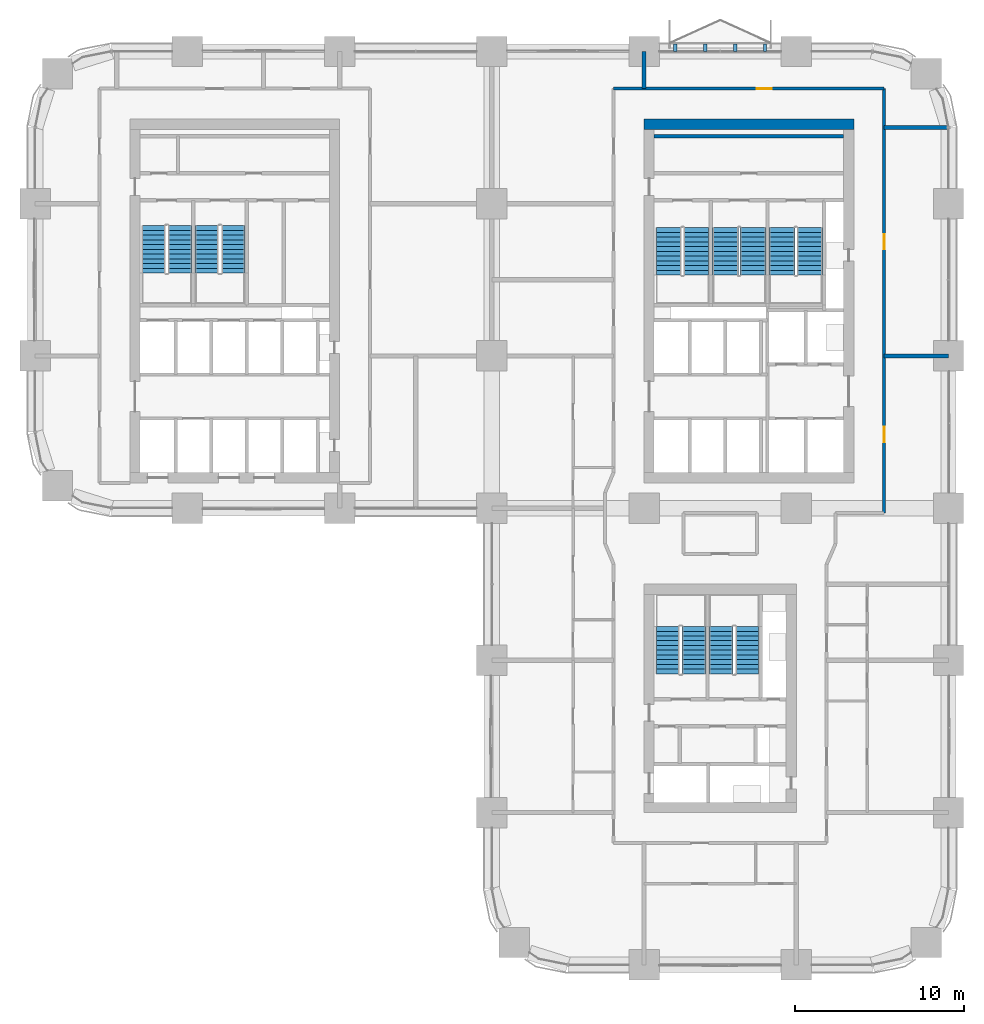
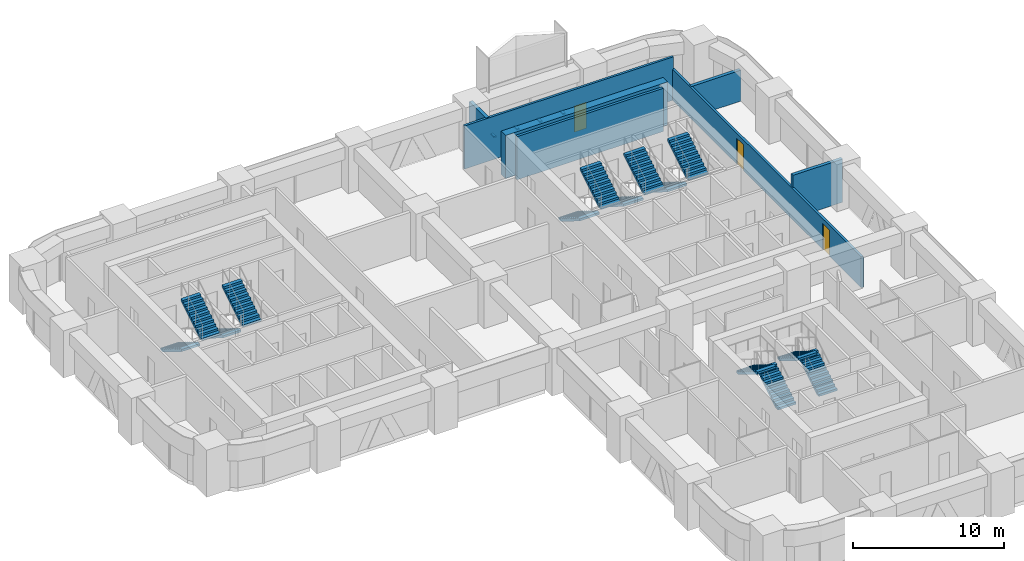
# One storey, part 16 of 26: 14 stair flights, 7 walls, 4 discrete accessories, 3 doors, 3 openings, 7 elements without a shape of their own.
"""IFC4 building model written with IfcOpenShell, lengths in metres."""

from ifc_helpers import new_model, si_unit, direction, frame, frame_2d, origin, origin_2d, place, context, subcontext, project, spatial, polyline, rectangle, outline, extrude, material, layer, layer_set, type_object, element, fill, aggregate, save


model = new_model("IFC4")

# Units and contexts
model_context = context("Model", 3, precision=1e-05, world=origin(), true_north=direction((0.0, 1.0)))
body_context = subcontext(model_context, "Body", "Model", "MODEL_VIEW")
ifc_project = project(units=[si_unit("LENGTHUNIT", "METRE"), si_unit("AREAUNIT", "SQUARE_METRE"), si_unit("VOLUMEUNIT", "CUBIC_METRE"), si_unit("PLANEANGLEUNIT", "RADIAN"), si_unit("MASSUNIT", "GRAM", prefix="KILO")], contexts=[model_context])

# Site, building, storey
site_placement = place(None, origin())
site = spatial("IfcSite", under=ifc_project, at=site_placement, CompositionType="ELEMENT")
building_placement = place(site_placement, origin())
building = spatial("IfcBuilding", under=site, at=building_placement, Name="Tessera Arch", CompositionType="ELEMENT")
storey_placement = place(building_placement, frame((0.0, 0.0, 96.800048828125)))
storey = spatial("IfcBuildingStorey", under=building, at=storey_placement, Name="L22", CompositionType="ELEMENT", Elevation=96.800048828125)

# Walls
ifc_material_1 = material(Name="Gypsum board on steel stud", Category="steel")
ifc_layer_1 = layer(ifc_material_1, 0.125)
ifc_layer_set_1 = layer_set([ifc_layer_1], Name="Core partition 125 EI 60")
wall_type_1 = type_object("IfcWallType", Name="Core partition 125 EI 60", PredefinedType="PARTITIONING", material=ifc_layer_set_1)
wall_1_placement = place(storey_placement, frame((36.60009765625, 49.0, 0.0), z_axis=(0.0, 0.0, 1.0), x_axis=(1.0, 0.0, 0.0)))
element("IfcWall", 1, at=wall_1_placement, inside=storey, type_object=wall_type_1, Name="L22 C1 partition wall 31", PredefinedType="PARTITIONING", context=body_context, shape_type="SweptSolid", body=[
    extrude(rectangle(XDim=11.199951171875, YDim=0.199951171875, at=frame_2d((5.60009765625, 0.0))), origin(), (0.0, 0.0, 1.0), 3.5),
])
ifc_material_2 = material(Name="Concrete C70/85", Category="concrete")
ifc_layer_2 = layer(ifc_material_2, 0.60009765625)
ifc_layer_set_2 = layer_set([ifc_layer_2], Name="Core shell wall 600 C70-85")
wall_type_2 = type_object("IfcWallType", Name="Core shell wall 600 C70-85", PredefinedType="SHEAR", material=ifc_layer_set_2)
wall_2_placement = place(storey_placement, frame((36.0, 49.699951171875, 0.0), z_axis=(0.0, 0.0, 1.0), x_axis=(1.0, 0.0, 0.0)))
element("IfcWall", 2, at=wall_2_placement, inside=storey, type_object=wall_type_2, Name="L22 C1 core wall N", PredefinedType="SHEAR", context=body_context, shape_type="SweptSolid", body=[
    extrude(rectangle(XDim=12.39990234375, YDim=0.60009765625, at=frame_2d((6.199951171875, 0.0))), origin(), (0.0, 0.0, 1.0), 3.5),
])

# Wall, opening, door
ifc_material_3 = material(Name="Gypsum board on deep steel stud with mineral wool", Category="steel")
ifc_layer_3 = layer(ifc_material_3, 0.175048828125)
ifc_layer_set_3 = layer_set([ifc_layer_3], Name="Corridor wall 175 EI 60")
wall_type_3 = type_object("IfcWallType", Name="Corridor wall 175 EI 60", PredefinedType="PARTITIONING", material=ifc_layer_set_3)
wall_3_placement = place(storey_placement, frame((34.199951171875, 51.800048828125, 0.0), z_axis=(0.0, 0.0, 1.0), x_axis=(1.0, 0.0, 0.0)))
wall_3 = element("IfcWall", 3, at=wall_3_placement, inside=storey, type_object=wall_type_3, Name="L22 partition 8", PredefinedType="PARTITIONING", context=body_context, shape_type="SweptSolid", body=[
    extrude(rectangle(XDim=16.0, YDim=0.175048828125, at=frame_2d((8.0, 0.0))), origin(), (0.0, 0.0, 1.0), 3.5),
])
opening_1_placement = place(wall_3_placement, frame((8.449951171875, 0.0, 0.0)))
opening_1 = element("IfcOpeningElement", 4, at=opening_1_placement, cuts=wall_3, Name="Opening L22-D033", PredefinedType="OPENING", context=body_context, shape_type="SweptSolid", body=[
    extrude(rectangle(XDim=0.89990234375, YDim=2.10009765625, at=frame_2d((0.449951171875, 1.050048828125))), frame((0.0, 0.097412109375, 0.0), z_axis=(0.0, -1.0, 0.0), x_axis=(1.0, 0.0, 0.0)), (0.0, 0.0, 1.0), 0.195068359375),
])
ifc_material_4 = material(Name="Timber door leaf", Category="wood")
door_type = type_object("IfcDoorType", Name="Room door 900 x 2100", OperationType="SINGLE_SWING_LEFT", PredefinedType="DOOR", material=ifc_material_4)
door_1_placement = place(opening_1_placement, origin())
door_1 = element("IfcDoor", 5, at=door_1_placement, inside=storey, type_object=door_type, Name="L22 door D033 type D01", OperationType="SINGLE_SWING_LEFT", OverallHeight=2.10009765625, OverallWidth=0.89990234375, PredefinedType="DOOR", context=body_context, shape_type="SweptSolid", body=[
    extrude(rectangle(XDim=0.89990234375, YDim=2.10009765625, at=frame_2d((0.449951171875, 1.050048828125))), frame((0.0, 0.02490234375, 0.0), z_axis=(0.0, -1.0, 0.0), x_axis=(1.0, 0.0, 0.0)), (0.0, 0.0, 1.0), 0.050048828125),
])
fill(opening_1, door_1)

# Wall, openings, doors
wall_4_placement = place(storey_placement, frame((50.199951171875, 26.699951171875, 0.0), z_axis=(0.0, 0.0, 1.0), x_axis=(0.0, 1.0, 0.0)))
wall_4 = element("IfcWall", 6, at=wall_4_placement, inside=storey, type_object=wall_type_3, Name="L22 partition 18", PredefinedType="PARTITIONING", context=body_context, shape_type="SweptSolid", body=[
    extrude(rectangle(XDim=25.10009765625, YDim=0.175048828125, at=frame_2d((12.550048828125, 0.0))), origin(), (0.0, 0.0, 1.0), 2.5),
])
opening_2_placement = place(wall_4_placement, frame((4.199951171875, 0.0, 0.0)))
opening_2 = element("IfcOpeningElement", 7, at=opening_2_placement, cuts=wall_4, Name="Opening L22-D019", PredefinedType="OPENING", context=body_context, shape_type="SweptSolid", body=[
    extrude(rectangle(XDim=0.89990234375, YDim=2.10009765625, at=frame_2d((0.449951171875, 1.050048828125))), frame((0.0, 0.097412109375, 0.0), z_axis=(0.0, -1.0, 0.0), x_axis=(1.0, 0.0, 0.0)), (0.0, 0.0, 1.0), 0.195068359375),
])
opening_3_placement = place(wall_4_placement, frame((15.60009765625, 0.0, 0.0)))
opening_3 = element("IfcOpeningElement", 8, at=opening_3_placement, cuts=wall_4, Name="Opening L22-D029", PredefinedType="OPENING", context=body_context, shape_type="SweptSolid", body=[
    extrude(rectangle(XDim=0.89990234375, YDim=2.10009765625, at=frame_2d((0.449951171875, 1.050048828125))), frame((0.0, 0.097412109375, 0.0), z_axis=(0.0, -1.0, 0.0), x_axis=(1.0, 0.0, 0.0)), (0.0, 0.0, 1.0), 0.195068359375),
])
door_2_placement = place(opening_2_placement, origin())
door_2 = element("IfcDoor", 9, at=door_2_placement, inside=storey, type_object=door_type, Name="L22 door D019 type D01", OperationType="SINGLE_SWING_RIGHT", OverallHeight=2.10009765625, OverallWidth=0.89990234375, PredefinedType="DOOR", context=body_context, shape_type="SweptSolid", body=[
    extrude(rectangle(XDim=0.89990234375, YDim=2.10009765625, at=frame_2d((0.449951171875, 1.050048828125))), frame((0.0, 0.02490234375, 0.0), z_axis=(0.0, -1.0, 0.0), x_axis=(1.0, 0.0, 0.0)), (0.0, 0.0, 1.0), 0.050048828125),
])
fill(opening_2, door_2)
door_3_placement = place(opening_3_placement, origin())
door_3 = element("IfcDoor", 10, at=door_3_placement, inside=storey, type_object=door_type, Name="L22 door D029 type D01", OperationType="SINGLE_SWING_RIGHT", OverallHeight=2.10009765625, OverallWidth=0.89990234375, PredefinedType="DOOR", context=body_context, shape_type="SweptSolid", body=[
    extrude(rectangle(XDim=0.89990234375, YDim=2.10009765625, at=frame_2d((0.449951171875, 1.050048828125))), frame((0.0, 0.02490234375, 0.0), z_axis=(0.0, -1.0, 0.0), x_axis=(1.0, 0.0, 0.0)), (0.0, 0.0, 1.0), 0.050048828125),
])
fill(opening_3, door_3)

# Walls
ifc_material_5 = material(Name="Double gypsum board on twin steel stud with acoustic mineral wool", Category="steel")
ifc_layer_4 = layer(ifc_material_5, 0.25)
ifc_layer_set_4 = layer_set([ifc_layer_4], Name="Party wall 250 EI 60")
wall_type_4 = type_object("IfcWallType", Name="Party wall 250 EI 60", PredefinedType="PARTITIONING", material=ifc_layer_set_4)
wall_5_placement = place(storey_placement, frame((50.199951171875, 36.0, 0.0), z_axis=(0.0, 0.0, 1.0), x_axis=(1.0, 0.0, 0.0)))
element("IfcWall", 11, at=wall_5_placement, inside=storey, type_object=wall_type_4, Name="L22 partition 33", PredefinedType="PARTITIONING", context=body_context, shape_type="SweptSolid", body=[
    extrude(rectangle(XDim=3.800048828125, YDim=0.25, at=frame_2d((1.89990234375, 0.0))), origin(), (0.0, 0.0, 1.0), 3.5),
])
wall_6_placement = place(storey_placement, frame((50.199951171875, 49.5, 0.0), z_axis=(0.0, 0.0, 1.0), x_axis=(1.0, 0.0, 0.0)))
element("IfcWall", 12, at=wall_6_placement, inside=storey, type_object=wall_type_4, Name="L22 partition 37", PredefinedType="PARTITIONING", context=body_context, shape_type="SweptSolid", body=[
    extrude(rectangle(XDim=3.800048828125, YDim=0.25, at=frame_2d((1.89990234375, 0.0))), origin(), (0.0, 0.0, 1.0), 2.5),
])
wall_7_placement = place(storey_placement, frame((36.0, 51.800048828125, 0.0), z_axis=(0.0, 0.0, 1.0), x_axis=(0.0, 1.0, 0.0)))
element("IfcWall", 13, at=wall_7_placement, inside=storey, type_object=wall_type_4, Name="L22 partition 45", PredefinedType="PARTITIONING", context=body_context, shape_type="SweptSolid", body=[
    extrude(rectangle(XDim=2.199951171875, YDim=0.25, at=frame_2d((1.10009765625, 0.0))), origin(), (0.0, 0.0, 1.0), 3.5),
])

# Stair, stair flights
ifc_material_6 = material(Name="Concrete C40/50", Category="concrete")
stair_type_1 = type_object("IfcStairType", Name="Dogleg stair 1400", PredefinedType="HALF_TURN_STAIR", material=ifc_material_6)
stair_1_placement = place(storey_placement, origin())
stair_1 = element("IfcStair", 14, at=stair_1_placement, inside=storey, type_object=stair_type_1, Name="L22 S2a", PredefinedType="HALF_TURN_STAIR")
ifc_material_7 = material(Name="Concrete C40/50", Category="concrete")
stair_flight_type_1 = type_object("IfcStairFlightType", Name="Stair flight 1400", PredefinedType="STRAIGHT", material=ifc_material_7)
stair_flight_1_placement = place(storey_placement, frame((7.0, 43.699951171875, 0.0), z_axis=(0.0, 0.0, 1.0), x_axis=(0.0, -1.0, 0.0)))
stair_flight_1 = element("IfcStairFlight", 15, at=stair_flight_1_placement, type_object=stair_flight_type_1, Name="S2a flight 1", NumberOfRisers=11, NumberOfTreads=10, PredefinedType="STRAIGHT", RiserHeight=0.172727273, TreadLength=0.28, context=body_context, shape_type="SweptSolid", body=[
    extrude(outline(polyline([(0.0, 0.0), (0.0, 0.172607421875), (0.280029296875, 0.172607421875), (0.280029296875, 0.345458984375), (0.56005859375, 0.345458984375), (0.56005859375, 0.51806640625), (0.840087890625, 0.51806640625), (0.840087890625, 0.69091796875), (1.1201171875, 0.69091796875), (1.1201171875, 0.863525390625), (1.39990234375, 0.863525390625), (1.39990234375, 1.036376953125), (1.679931640625, 1.036376953125), (1.679931640625, 1.208984375), (1.9599609375, 1.208984375), (1.9599609375, 1.3818359375), (2.239990234375, 1.3818359375), (2.239990234375, 1.554443359375), (2.52001953125, 1.554443359375), (2.52001953125, 1.727294921875), (2.800048828125, 1.727294921875), (2.800048828125, 1.89990234375), (2.800048828125, 1.551025390625), (0.285400390625, 0.0), (0.0, 0.0)])), frame((0.0, 0.699951171875, 0.0), z_axis=(0.0, -1.0, 0.0), x_axis=(1.0, 0.0, 0.0)), (0.0, 0.0, 1.0), 1.39990234375),
])
stair_flight_2_placement = place(storey_placement, frame((8.550048828125, 40.89990234375, 1.89990234375), z_axis=(0.0, 0.0, 1.0), x_axis=(0.0, 1.0, 0.0)))
stair_flight_2 = element("IfcStairFlight", 16, at=stair_flight_2_placement, type_object=stair_flight_type_1, Name="S2a flight 2", NumberOfRisers=11, NumberOfTreads=10, PredefinedType="STRAIGHT", RiserHeight=0.172727273, TreadLength=0.28, context=body_context, shape_type="SweptSolid", body=[
    extrude(outline(polyline([(0.0, 0.0), (0.0, 0.172607421875), (0.280029296875, 0.172607421875), (0.280029296875, 0.345458984375), (0.56005859375, 0.345458984375), (0.56005859375, 0.51806640625), (0.840087890625, 0.51806640625), (0.840087890625, 0.69091796875), (1.1201171875, 0.69091796875), (1.1201171875, 0.863525390625), (1.39990234375, 0.863525390625), (1.39990234375, 1.036376953125), (1.679931640625, 1.036376953125), (1.679931640625, 1.208984375), (1.9599609375, 1.208984375), (1.9599609375, 1.3818359375), (2.239990234375, 1.3818359375), (2.239990234375, 1.554443359375), (2.52001953125, 1.554443359375), (2.52001953125, 1.727294921875), (2.800048828125, 1.727294921875), (2.800048828125, 1.89990234375), (2.800048828125, 1.551025390625), (0.285400390625, 0.0), (0.0, 0.0)])), frame((0.0, 0.699951171875, 0.0), z_axis=(0.0, -1.0, 0.0), x_axis=(1.0, 0.0, 0.0)), (0.0, 0.0, 1.0), 1.39990234375),
])
aggregate(stair_1, [stair_flight_1, stair_flight_2])

stair_2_placement = place(storey_placement, origin())
stair_2 = element("IfcStair", 17, at=stair_2_placement, inside=storey, type_object=stair_type_1, Name="L22 S2b", PredefinedType="HALF_TURN_STAIR")
stair_flight_3_placement = place(storey_placement, frame((10.14990234375, 43.699951171875, 0.0), z_axis=(0.0, 0.0, 1.0), x_axis=(0.0, -1.0, 0.0)))
stair_flight_3 = element("IfcStairFlight", 18, at=stair_flight_3_placement, type_object=stair_flight_type_1, Name="S2b flight 1", NumberOfRisers=11, NumberOfTreads=10, PredefinedType="STRAIGHT", RiserHeight=0.172727273, TreadLength=0.28, context=body_context, shape_type="SweptSolid", body=[
    extrude(outline(polyline([(0.0, 0.0), (0.0, 0.172607421875), (0.280029296875, 0.172607421875), (0.280029296875, 0.345458984375), (0.56005859375, 0.345458984375), (0.56005859375, 0.51806640625), (0.840087890625, 0.51806640625), (0.840087890625, 0.69091796875), (1.1201171875, 0.69091796875), (1.1201171875, 0.863525390625), (1.39990234375, 0.863525390625), (1.39990234375, 1.036376953125), (1.679931640625, 1.036376953125), (1.679931640625, 1.208984375), (1.9599609375, 1.208984375), (1.9599609375, 1.3818359375), (2.239990234375, 1.3818359375), (2.239990234375, 1.554443359375), (2.52001953125, 1.554443359375), (2.52001953125, 1.727294921875), (2.800048828125, 1.727294921875), (2.800048828125, 1.89990234375), (2.800048828125, 1.551025390625), (0.285400390625, 0.0), (0.0, 0.0)])), frame((0.0, 0.699951171875, 0.0), z_axis=(0.0, -1.0, 0.0), x_axis=(1.0, 0.0, 0.0)), (0.0, 0.0, 1.0), 1.39990234375),
])
stair_flight_4_placement = place(storey_placement, frame((11.699951171875, 40.89990234375, 1.89990234375), z_axis=(0.0, 0.0, 1.0), x_axis=(0.0, 1.0, 0.0)))
stair_flight_4 = element("IfcStairFlight", 19, at=stair_flight_4_placement, type_object=stair_flight_type_1, Name="S2b flight 2", NumberOfRisers=11, NumberOfTreads=10, PredefinedType="STRAIGHT", RiserHeight=0.172727273, TreadLength=0.28, context=body_context, shape_type="SweptSolid", body=[
    extrude(outline(polyline([(0.0, 0.0), (0.0, 0.172607421875), (0.280029296875, 0.172607421875), (0.280029296875, 0.345458984375), (0.56005859375, 0.345458984375), (0.56005859375, 0.51806640625), (0.840087890625, 0.51806640625), (0.840087890625, 0.69091796875), (1.1201171875, 0.69091796875), (1.1201171875, 0.863525390625), (1.39990234375, 0.863525390625), (1.39990234375, 1.036376953125), (1.679931640625, 1.036376953125), (1.679931640625, 1.208984375), (1.9599609375, 1.208984375), (1.9599609375, 1.3818359375), (2.239990234375, 1.3818359375), (2.239990234375, 1.554443359375), (2.52001953125, 1.554443359375), (2.52001953125, 1.727294921875), (2.800048828125, 1.727294921875), (2.800048828125, 1.89990234375), (2.800048828125, 1.551025390625), (0.285400390625, 0.0), (0.0, 0.0)])), frame((0.0, 0.699951171875, 0.0), z_axis=(0.0, -1.0, 0.0), x_axis=(1.0, 0.0, 0.0)), (0.0, 0.0, 1.0), 1.39990234375),
])
aggregate(stair_2, [stair_flight_3, stair_flight_4])

stair_3_placement = place(storey_placement, origin())
stair_3 = element("IfcStair", 20, at=stair_3_placement, inside=storey, type_object=stair_type_1, Name="L22 S3a", PredefinedType="HALF_TURN_STAIR")
stair_flight_5_placement = place(storey_placement, frame((38.949951171875, 17.199951171875, 0.0), z_axis=(0.0, 0.0, 1.0), x_axis=(0.0, 1.0, 0.0)))
stair_flight_5 = element("IfcStairFlight", 21, at=stair_flight_5_placement, type_object=stair_flight_type_1, Name="S3a flight 1", NumberOfRisers=11, NumberOfTreads=10, PredefinedType="STRAIGHT", RiserHeight=0.172727273, TreadLength=0.28, context=body_context, shape_type="SweptSolid", body=[
    extrude(outline(polyline([(0.0, 0.0), (0.0, 0.172607421875), (0.280029296875, 0.172607421875), (0.280029296875, 0.345458984375), (0.56005859375, 0.345458984375), (0.56005859375, 0.51806640625), (0.840087890625, 0.51806640625), (0.840087890625, 0.69091796875), (1.1201171875, 0.69091796875), (1.1201171875, 0.863525390625), (1.39990234375, 0.863525390625), (1.39990234375, 1.036376953125), (1.679931640625, 1.036376953125), (1.679931640625, 1.208984375), (1.9599609375, 1.208984375), (1.9599609375, 1.3818359375), (2.239990234375, 1.3818359375), (2.239990234375, 1.554443359375), (2.52001953125, 1.554443359375), (2.52001953125, 1.727294921875), (2.800048828125, 1.727294921875), (2.800048828125, 1.89990234375), (2.800048828125, 1.551025390625), (0.285400390625, 0.0), (0.0, 0.0)])), frame((0.0, 0.699951171875, 0.0), z_axis=(0.0, -1.0, 0.0), x_axis=(1.0, 0.0, 0.0)), (0.0, 0.0, 1.0), 1.39990234375),
])
stair_flight_6_placement = place(storey_placement, frame((37.39990234375, 20.0, 1.89990234375), z_axis=(0.0, 0.0, 1.0), x_axis=(0.0, -1.0, 0.0)))
stair_flight_6 = element("IfcStairFlight", 22, at=stair_flight_6_placement, type_object=stair_flight_type_1, Name="S3a flight 2", NumberOfRisers=11, NumberOfTreads=10, PredefinedType="STRAIGHT", RiserHeight=0.172727273, TreadLength=0.28, context=body_context, shape_type="SweptSolid", body=[
    extrude(outline(polyline([(0.0, 0.0), (0.0, 0.172607421875), (0.280029296875, 0.172607421875), (0.280029296875, 0.345458984375), (0.56005859375, 0.345458984375), (0.56005859375, 0.51806640625), (0.840087890625, 0.51806640625), (0.840087890625, 0.69091796875), (1.1201171875, 0.69091796875), (1.1201171875, 0.863525390625), (1.39990234375, 0.863525390625), (1.39990234375, 1.036376953125), (1.679931640625, 1.036376953125), (1.679931640625, 1.208984375), (1.9599609375, 1.208984375), (1.9599609375, 1.3818359375), (2.239990234375, 1.3818359375), (2.239990234375, 1.554443359375), (2.52001953125, 1.554443359375), (2.52001953125, 1.727294921875), (2.800048828125, 1.727294921875), (2.800048828125, 1.89990234375), (2.800048828125, 1.551025390625), (0.285400390625, 0.0), (0.0, 0.0)])), frame((0.0, 0.699951171875, 0.0), z_axis=(0.0, -1.0, 0.0), x_axis=(1.0, 0.0, 0.0)), (0.0, 0.0, 1.0), 1.39990234375),
])
aggregate(stair_3, [stair_flight_5, stair_flight_6])

stair_4_placement = place(storey_placement, origin())
stair_4 = element("IfcStair", 23, at=stair_4_placement, inside=storey, type_object=stair_type_1, Name="L22 S3b", PredefinedType="HALF_TURN_STAIR")
stair_flight_7_placement = place(storey_placement, frame((42.10009765625, 17.199951171875, 0.0), z_axis=(0.0, 0.0, 1.0), x_axis=(0.0, 1.0, 0.0)))
stair_flight_7 = element("IfcStairFlight", 24, at=stair_flight_7_placement, type_object=stair_flight_type_1, Name="S3b flight 1", NumberOfRisers=11, NumberOfTreads=10, PredefinedType="STRAIGHT", RiserHeight=0.172727273, TreadLength=0.28, context=body_context, shape_type="SweptSolid", body=[
    extrude(outline(polyline([(0.0, 0.0), (0.0, 0.172607421875), (0.280029296875, 0.172607421875), (0.280029296875, 0.345458984375), (0.56005859375, 0.345458984375), (0.56005859375, 0.51806640625), (0.840087890625, 0.51806640625), (0.840087890625, 0.69091796875), (1.1201171875, 0.69091796875), (1.1201171875, 0.863525390625), (1.39990234375, 0.863525390625), (1.39990234375, 1.036376953125), (1.679931640625, 1.036376953125), (1.679931640625, 1.208984375), (1.9599609375, 1.208984375), (1.9599609375, 1.3818359375), (2.239990234375, 1.3818359375), (2.239990234375, 1.554443359375), (2.52001953125, 1.554443359375), (2.52001953125, 1.727294921875), (2.800048828125, 1.727294921875), (2.800048828125, 1.89990234375), (2.800048828125, 1.551025390625), (0.285400390625, 0.0), (0.0, 0.0)])), frame((0.0, 0.699951171875, 0.0), z_axis=(0.0, -1.0, 0.0), x_axis=(1.0, 0.0, 0.0)), (0.0, 0.0, 1.0), 1.39990234375),
])
stair_flight_8_placement = place(storey_placement, frame((40.550048828125, 20.0, 1.89990234375), z_axis=(0.0, 0.0, 1.0), x_axis=(0.0, -1.0, 0.0)))
stair_flight_8 = element("IfcStairFlight", 25, at=stair_flight_8_placement, type_object=stair_flight_type_1, Name="S3b flight 2", NumberOfRisers=11, NumberOfTreads=10, PredefinedType="STRAIGHT", RiserHeight=0.172727273, TreadLength=0.28, context=body_context, shape_type="SweptSolid", body=[
    extrude(outline(polyline([(0.0, 0.0), (0.0, 0.172607421875), (0.280029296875, 0.172607421875), (0.280029296875, 0.345458984375), (0.56005859375, 0.345458984375), (0.56005859375, 0.51806640625), (0.840087890625, 0.51806640625), (0.840087890625, 0.69091796875), (1.1201171875, 0.69091796875), (1.1201171875, 0.863525390625), (1.39990234375, 0.863525390625), (1.39990234375, 1.036376953125), (1.679931640625, 1.036376953125), (1.679931640625, 1.208984375), (1.9599609375, 1.208984375), (1.9599609375, 1.3818359375), (2.239990234375, 1.3818359375), (2.239990234375, 1.554443359375), (2.52001953125, 1.554443359375), (2.52001953125, 1.727294921875), (2.800048828125, 1.727294921875), (2.800048828125, 1.89990234375), (2.800048828125, 1.551025390625), (0.285400390625, 0.0), (0.0, 0.0)])), frame((0.0, 0.699951171875, 0.0), z_axis=(0.0, -1.0, 0.0), x_axis=(1.0, 0.0, 0.0)), (0.0, 0.0, 1.0), 1.39990234375),
])
aggregate(stair_4, [stair_flight_7, stair_flight_8])

ifc_material_8 = material(Name="Concrete C40/50", Category="concrete")
stair_type_2 = type_object("IfcStairType", Name="Dogleg stair 1520", PredefinedType="HALF_TURN_STAIR", material=ifc_material_8)
stair_5_placement = place(storey_placement, origin())
stair_5 = element("IfcStair", 26, at=stair_5_placement, inside=storey, type_object=stair_type_2, Name="L22 S1a", PredefinedType="HALF_TURN_STAIR")
ifc_material_9 = material(Name="Concrete C40/50", Category="concrete")
stair_flight_type_2 = type_object("IfcStairFlightType", Name="Stair flight 1520", PredefinedType="STRAIGHT", material=ifc_material_9)
stair_flight_9_placement = place(storey_placement, frame((37.4599609375, 43.580078125, 0.0), z_axis=(0.0, 0.0, 1.0), x_axis=(0.0, -1.0, 0.0)))
stair_flight_9 = element("IfcStairFlight", 27, at=stair_flight_9_placement, type_object=stair_flight_type_2, Name="S1a flight 1", NumberOfRisers=11, NumberOfTreads=10, PredefinedType="STRAIGHT", RiserHeight=0.172727273, TreadLength=0.28, context=body_context, shape_type="SweptSolid", body=[
    extrude(outline(polyline([(0.0, 0.0), (0.0, 0.172607421875), (0.280029296875, 0.172607421875), (0.280029296875, 0.345458984375), (0.56005859375, 0.345458984375), (0.56005859375, 0.51806640625), (0.840087890625, 0.51806640625), (0.840087890625, 0.69091796875), (1.1201171875, 0.69091796875), (1.1201171875, 0.863525390625), (1.39990234375, 0.863525390625), (1.39990234375, 1.036376953125), (1.679931640625, 1.036376953125), (1.679931640625, 1.208984375), (1.9599609375, 1.208984375), (1.9599609375, 1.3818359375), (2.239990234375, 1.3818359375), (2.239990234375, 1.554443359375), (2.52001953125, 1.554443359375), (2.52001953125, 1.727294921875), (2.800048828125, 1.727294921875), (2.800048828125, 1.89990234375), (2.800048828125, 1.551025390625), (0.285400390625, 0.0), (0.0, 0.0)])), frame((0.0, 0.760009765625, 0.0), z_axis=(0.0, -1.0, 0.0), x_axis=(1.0, 0.0, 0.0)), (0.0, 0.0, 1.0), 1.52001953125),
])
stair_flight_10_placement = place(storey_placement, frame((39.090087890625, 40.780029296875, 1.89990234375), z_axis=(0.0, 0.0, 1.0), x_axis=(0.0, 1.0, 0.0)))
stair_flight_10 = element("IfcStairFlight", 28, at=stair_flight_10_placement, type_object=stair_flight_type_2, Name="S1a flight 2", NumberOfRisers=11, NumberOfTreads=10, PredefinedType="STRAIGHT", RiserHeight=0.172727273, TreadLength=0.28, context=body_context, shape_type="SweptSolid", body=[
    extrude(outline(polyline([(0.0, 0.0), (0.0, 0.172607421875), (0.280029296875, 0.172607421875), (0.280029296875, 0.345458984375), (0.56005859375, 0.345458984375), (0.56005859375, 0.51806640625), (0.840087890625, 0.51806640625), (0.840087890625, 0.69091796875), (1.1201171875, 0.69091796875), (1.1201171875, 0.863525390625), (1.39990234375, 0.863525390625), (1.39990234375, 1.036376953125), (1.679931640625, 1.036376953125), (1.679931640625, 1.208984375), (1.9599609375, 1.208984375), (1.9599609375, 1.3818359375), (2.239990234375, 1.3818359375), (2.239990234375, 1.554443359375), (2.52001953125, 1.554443359375), (2.52001953125, 1.727294921875), (2.800048828125, 1.727294921875), (2.800048828125, 1.89990234375), (2.800048828125, 1.551025390625), (0.285400390625, 0.0), (0.0, 0.0)])), frame((0.0, 0.760009765625, 0.0), z_axis=(0.0, -1.0, 0.0), x_axis=(1.0, 0.0, 0.0)), (0.0, 0.0, 1.0), 1.52001953125),
])
aggregate(stair_5, [stair_flight_9, stair_flight_10])

stair_6_placement = place(storey_placement, origin())
stair_6 = element("IfcStair", 29, at=stair_6_placement, inside=storey, type_object=stair_type_2, Name="L22 S1b", PredefinedType="HALF_TURN_STAIR")
stair_flight_11_placement = place(storey_placement, frame((40.81005859375, 43.580078125, 0.0), z_axis=(0.0, 0.0, 1.0), x_axis=(0.0, -1.0, 0.0)))
stair_flight_11 = element("IfcStairFlight", 30, at=stair_flight_11_placement, type_object=stair_flight_type_2, Name="S1b flight 1", NumberOfRisers=11, NumberOfTreads=10, PredefinedType="STRAIGHT", RiserHeight=0.172727273, TreadLength=0.28, context=body_context, shape_type="SweptSolid", body=[
    extrude(outline(polyline([(0.0, 0.0), (0.0, 0.172607421875), (0.280029296875, 0.172607421875), (0.280029296875, 0.345458984375), (0.56005859375, 0.345458984375), (0.56005859375, 0.51806640625), (0.840087890625, 0.51806640625), (0.840087890625, 0.69091796875), (1.1201171875, 0.69091796875), (1.1201171875, 0.863525390625), (1.39990234375, 0.863525390625), (1.39990234375, 1.036376953125), (1.679931640625, 1.036376953125), (1.679931640625, 1.208984375), (1.9599609375, 1.208984375), (1.9599609375, 1.3818359375), (2.239990234375, 1.3818359375), (2.239990234375, 1.554443359375), (2.52001953125, 1.554443359375), (2.52001953125, 1.727294921875), (2.800048828125, 1.727294921875), (2.800048828125, 1.89990234375), (2.800048828125, 1.551025390625), (0.285400390625, 0.0), (0.0, 0.0)])), frame((0.0, 0.760009765625, 0.0), z_axis=(0.0, -1.0, 0.0), x_axis=(1.0, 0.0, 0.0)), (0.0, 0.0, 1.0), 1.52001953125),
])
stair_flight_12_placement = place(storey_placement, frame((42.43994140625, 40.780029296875, 1.89990234375), z_axis=(0.0, 0.0, 1.0), x_axis=(0.0, 1.0, 0.0)))
stair_flight_12 = element("IfcStairFlight", 31, at=stair_flight_12_placement, type_object=stair_flight_type_2, Name="S1b flight 2", NumberOfRisers=11, NumberOfTreads=10, PredefinedType="STRAIGHT", RiserHeight=0.172727273, TreadLength=0.28, context=body_context, shape_type="SweptSolid", body=[
    extrude(outline(polyline([(0.0, 0.0), (0.0, 0.172607421875), (0.280029296875, 0.172607421875), (0.280029296875, 0.345458984375), (0.56005859375, 0.345458984375), (0.56005859375, 0.51806640625), (0.840087890625, 0.51806640625), (0.840087890625, 0.69091796875), (1.1201171875, 0.69091796875), (1.1201171875, 0.863525390625), (1.39990234375, 0.863525390625), (1.39990234375, 1.036376953125), (1.679931640625, 1.036376953125), (1.679931640625, 1.208984375), (1.9599609375, 1.208984375), (1.9599609375, 1.3818359375), (2.239990234375, 1.3818359375), (2.239990234375, 1.554443359375), (2.52001953125, 1.554443359375), (2.52001953125, 1.727294921875), (2.800048828125, 1.727294921875), (2.800048828125, 1.89990234375), (2.800048828125, 1.551025390625), (0.285400390625, 0.0), (0.0, 0.0)])), frame((0.0, 0.760009765625, 0.0), z_axis=(0.0, -1.0, 0.0), x_axis=(1.0, 0.0, 0.0)), (0.0, 0.0, 1.0), 1.52001953125),
])
aggregate(stair_6, [stair_flight_11, stair_flight_12])

stair_7_placement = place(storey_placement, origin())
stair_7 = element("IfcStair", 32, at=stair_7_placement, inside=storey, type_object=stair_type_2, Name="L22 S1c", PredefinedType="HALF_TURN_STAIR")
stair_flight_13_placement = place(storey_placement, frame((44.159912109375, 43.580078125, 0.0), z_axis=(0.0, 0.0, 1.0), x_axis=(0.0, -1.0, 0.0)))
stair_flight_13 = element("IfcStairFlight", 33, at=stair_flight_13_placement, type_object=stair_flight_type_2, Name="S1c flight 1", NumberOfRisers=11, NumberOfTreads=10, PredefinedType="STRAIGHT", RiserHeight=0.172727273, TreadLength=0.28, context=body_context, shape_type="SweptSolid", body=[
    extrude(outline(polyline([(0.0, 0.0), (0.0, 0.172607421875), (0.280029296875, 0.172607421875), (0.280029296875, 0.345458984375), (0.56005859375, 0.345458984375), (0.56005859375, 0.51806640625), (0.840087890625, 0.51806640625), (0.840087890625, 0.69091796875), (1.1201171875, 0.69091796875), (1.1201171875, 0.863525390625), (1.39990234375, 0.863525390625), (1.39990234375, 1.036376953125), (1.679931640625, 1.036376953125), (1.679931640625, 1.208984375), (1.9599609375, 1.208984375), (1.9599609375, 1.3818359375), (2.239990234375, 1.3818359375), (2.239990234375, 1.554443359375), (2.52001953125, 1.554443359375), (2.52001953125, 1.727294921875), (2.800048828125, 1.727294921875), (2.800048828125, 1.89990234375), (2.800048828125, 1.551025390625), (0.285400390625, 0.0), (0.0, 0.0)])), frame((0.0, 0.760009765625, 0.0), z_axis=(0.0, -1.0, 0.0), x_axis=(1.0, 0.0, 0.0)), (0.0, 0.0, 1.0), 1.52001953125),
])
stair_flight_14_placement = place(storey_placement, frame((45.7900390625, 40.780029296875, 1.89990234375), z_axis=(0.0, 0.0, 1.0), x_axis=(0.0, 1.0, 0.0)))
stair_flight_14 = element("IfcStairFlight", 34, at=stair_flight_14_placement, type_object=stair_flight_type_2, Name="S1c flight 2", NumberOfRisers=11, NumberOfTreads=10, PredefinedType="STRAIGHT", RiserHeight=0.172727273, TreadLength=0.28, context=body_context, shape_type="SweptSolid", body=[
    extrude(outline(polyline([(0.0, 0.0), (0.0, 0.172607421875), (0.280029296875, 0.172607421875), (0.280029296875, 0.345458984375), (0.56005859375, 0.345458984375), (0.56005859375, 0.51806640625), (0.840087890625, 0.51806640625), (0.840087890625, 0.69091796875), (1.1201171875, 0.69091796875), (1.1201171875, 0.863525390625), (1.39990234375, 0.863525390625), (1.39990234375, 1.036376953125), (1.679931640625, 1.036376953125), (1.679931640625, 1.208984375), (1.9599609375, 1.208984375), (1.9599609375, 1.3818359375), (2.239990234375, 1.3818359375), (2.239990234375, 1.554443359375), (2.52001953125, 1.554443359375), (2.52001953125, 1.727294921875), (2.800048828125, 1.727294921875), (2.800048828125, 1.89990234375), (2.800048828125, 1.551025390625), (0.285400390625, 0.0), (0.0, 0.0)])), frame((0.0, 0.760009765625, 0.0), z_axis=(0.0, -1.0, 0.0), x_axis=(1.0, 0.0, 0.0)), (0.0, 0.0, 1.0), 1.52001953125),
])
aggregate(stair_7, [stair_flight_13, stair_flight_14])

# Discrete accessories
for number, where, z_axis, x_axis, name in (
    (35, (43.14990234375, 54.219970703125, -0.1201171875), (0.0, 0.0, 1.0), (0.0, 1.0, 0.0), "Window box bracket"),
    (36, (41.38330078125, 54.219970703125, -0.1201171875), (0.0, 0.0, 1.0), (0.0, 1.0, 0.0), "Window box bracket"),
    (37, (39.61669921875, 54.219970703125, -0.1201171875), (0.0, 0.0, 1.0), (0.0, 1.0, 0.0), "Window box bracket"),
    (38, (37.85009765625, 54.219970703125, -0.1201171875), (0.0, 0.0, 1.0), (0.0, 1.0, 0.0), "Window box bracket"),
):
    element("IfcDiscreteAccessory", number, at=place(storey_placement, frame(where, z_axis=z_axis, x_axis=x_axis)), inside=storey, Name=name, PredefinedType="BRACKET", context=body_context, shape_type="SweptSolid", body=[
        extrude(rectangle(XDim=0.43994140625, YDim=0.199951171875, at=origin_2d()), origin(), (0.0, 0.0, 1.0), 0.1201171875),
    ])

save(model, "model.ifc")
